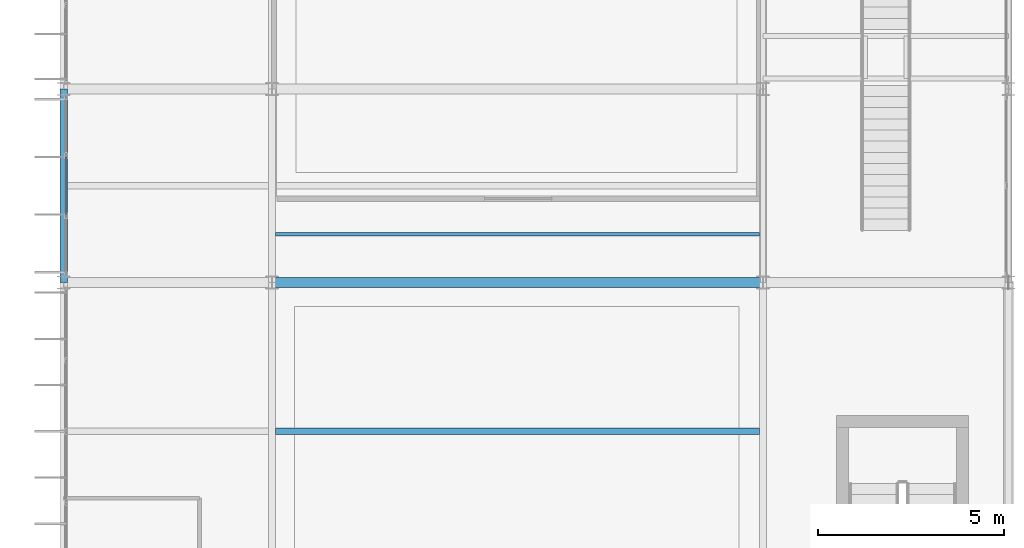
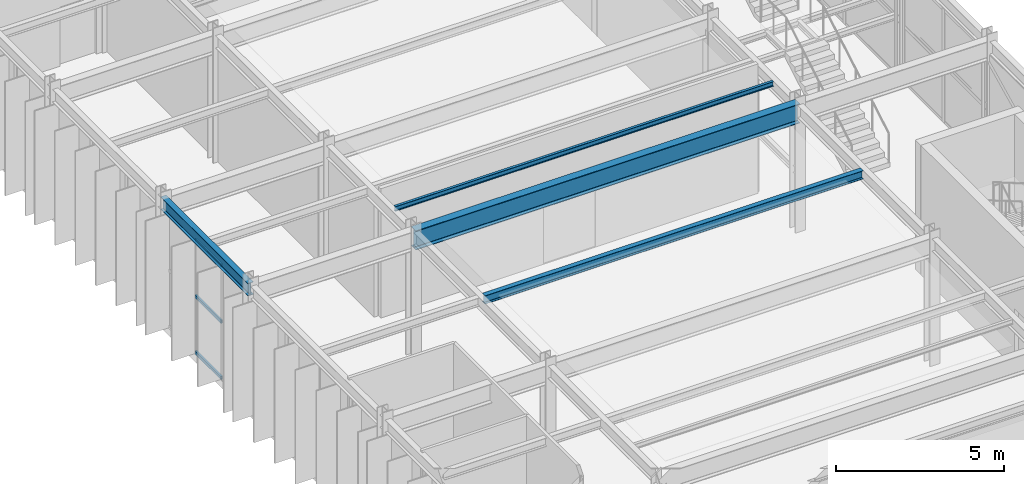
# One storey, part 37 of 144: 4 beams, 3 members, 1 element without a shape of its own.
"""IFC4 building model written with IfcOpenShell, lengths in metres."""

from ifc_helpers import new_model, si_unit, direction, frame, origin, origin_2d, place, context, subcontext, project, spatial, hollow_rectangle, i_section, extrude, material, material_profile, profile_set, type_object, element, aggregate, save


model = new_model("IFC4")

# Units and contexts
model_context = context("Model", 3, precision=1e-05, world=origin(), true_north=direction((0.0, 1.0)))
body_context = subcontext(model_context, "Body", "Model", "MODEL_VIEW")
ifc_project = project(units=[si_unit("LENGTHUNIT", "METRE"), si_unit("AREAUNIT", "SQUARE_METRE"), si_unit("VOLUMEUNIT", "CUBIC_METRE"), si_unit("PLANEANGLEUNIT", "RADIAN"), si_unit("MASSUNIT", "GRAM", prefix="KILO")], contexts=[model_context])

# Site, building, storey
site_placement = place(None, origin())
site = spatial("IfcSite", under=ifc_project, at=site_placement, CompositionType="ELEMENT")
building_placement = place(site_placement, origin())
building = spatial("IfcBuilding", under=site, at=building_placement, Name="Karori Crest Natural Sciences Institute", CompositionType="ELEMENT")
storey_placement = place(building_placement, origin())
storey = spatial("IfcBuildingStorey", under=building, at=storey_placement, Name="L00", CompositionType="ELEMENT", Elevation=0.0)

# Beams
ifc_material_1 = material(Name="Structural steel AS/NZS 3679.1 Grade 350", Category="steel")
ifc_material_profile_1 = material_profile(ifc_material_1, i_section(OverallWidth=0.27490234375, OverallDepth=0.699951171875, WebThickness=0.010009765625, FlangeThickness=0.02001953125, FilletRadius=0.013916015625, at=origin_2d()), Name="700WB150")
ifc_profile_set_1 = profile_set([ifc_material_profile_1], Name="Structural steel AS/NZS 3679.1 Grade 350")
beam_type_1 = type_object("IfcBeamType", Name="BT-03", PredefinedType="BEAM", material=ifc_profile_set_1)
beam_1_placement = place(storey_placement, frame((7.39990234375, 55.0, 4.27001953125), z_axis=(1.0, 0.0, 0.0), x_axis=(0.0, 1.0, 0.0)))
element("IfcBeam", 1, at=beam_1_placement, inside=storey, type_object=beam_type_1, Name="Beam B-0950", PredefinedType="BEAM", context=body_context, shape_type="SweptSolid", body=[
    extrude(i_section(OverallWidth=0.27490234375, OverallDepth=0.699951171875, WebThickness=0.010009765625, FlangeThickness=0.02001953125, FilletRadius=0.013916015625, at=origin_2d()), origin(), (0.0, 0.0, 1.0), 13.2001953125),
])
ifc_material_profile_2 = material_profile(ifc_material_1, i_section(OverallWidth=0.19091796875, OverallDepth=0.4599609375, WebThickness=0.010009765625, FlangeThickness=0.01611328125, FilletRadius=0.010986328125, at=origin_2d()), Name="460UB82.1")
ifc_profile_set_2 = profile_set([ifc_material_profile_2], Name="Structural steel AS/NZS 3679.1 Grade 350")
beam_type_2 = type_object("IfcBeamType", Name="BT-06-EL", PredefinedType="BEAM", material=ifc_profile_set_2)
beam_2_placement = place(storey_placement, frame((1.800048828125, 55.0, 4.389892578125), z_axis=(0.0, 1.0, 0.0), x_axis=(-1.0, 0.0, 0.0)))
element("IfcBeam", 2, at=beam_2_placement, inside=storey, type_object=beam_type_2, Name="Beam B-0964", PredefinedType="BEAM", context=body_context, shape_type="SweptSolid", body=[
    extrude(i_section(OverallWidth=0.19091796875, OverallDepth=0.4599609375, WebThickness=0.010009765625, FlangeThickness=0.01611328125, FilletRadius=0.010986328125, at=origin_2d()), origin(), (0.0, 0.0, 1.0), 5.199951171875),
])
ifc_material_profile_3 = material_profile(ifc_material_1, i_section(OverallWidth=0.166015625, OverallDepth=0.306884765625, WebThickness=0.006591796875, FlangeThickness=0.01171875, FilletRadius=0.010986328125, at=origin_2d()), Name="310UB46.2")
ifc_profile_set_3 = profile_set([ifc_material_profile_3], Name="Structural steel AS/NZS 3679.1 Grade 350")
beam_type_3 = type_object("IfcBeamType", Name="BT-09", PredefinedType="BEAM", material=ifc_profile_set_3)
beam_3_placement = place(storey_placement, frame((7.49560546875, 51.0, 4.466552734375), z_axis=(1.0, 0.0, 0.0), x_axis=(0.0, 1.0, 0.0)))
element("IfcBeam", 3, at=beam_3_placement, inside=storey, type_object=beam_type_3, Name="Beam B-0998", PredefinedType="BEAM", context=body_context, shape_type="SweptSolid", body=[
    extrude(i_section(OverallWidth=0.166015625, OverallDepth=0.306884765625, WebThickness=0.006591796875, FlangeThickness=0.01171875, FilletRadius=0.010986328125, at=origin_2d()), origin(), (0.0, 0.0, 1.0), 13.0087890625),
])
ifc_material_profile_4 = material_profile(ifc_material_1, i_section(OverallWidth=0.090087890625, OverallDepth=0.175048828125, WebThickness=0.0048828125, FlangeThickness=0.008056640625, FilletRadius=0.009033203125, at=origin_2d()), Name="180UB18.1")
ifc_profile_set_4 = profile_set([ifc_material_profile_4], Name="Structural steel AS/NZS 3679.1 Grade 350")
beam_type_4 = type_object("IfcBeamType", Name="BT-31", PredefinedType="LINTEL", material=ifc_profile_set_4)
beam_4_placement = place(storey_placement, frame((7.49560546875, 56.300048828125, 4.532470703125), z_axis=(1.0, 0.0, 0.0), x_axis=(0.0, 1.0, 0.0)))
element("IfcBeam", 4, at=beam_4_placement, inside=storey, type_object=beam_type_4, Name="Beam B-1000", PredefinedType="LINTEL", context=body_context, shape_type="SweptSolid", body=[
    extrude(i_section(OverallWidth=0.090087890625, OverallDepth=0.175048828125, WebThickness=0.0048828125, FlangeThickness=0.008056640625, FilletRadius=0.009033203125, at=origin_2d()), origin(), (0.0, 0.0, 1.0), 13.0087890625),
])

# Curtain wall, members
ifc_material_2 = material(Name="Anodised architectural aluminium 6063-T6", Category="aluminium")
curtain_wall_type = type_object("IfcCurtainWallType", Name="CWT-17", PredefinedType="NOTDEFINED", material=ifc_material_2)
curtain_wall_placement = place(storey_placement, origin())
curtain_wall = element("IfcCurtainWall", 5, at=curtain_wall_placement, inside=storey, type_object=curtain_wall_type, Name="Curtain wall CW-0256", PredefinedType="NOTDEFINED")
ifc_material_profile_5 = material_profile(ifc_material_2, hollow_rectangle(XDim=0.06005859375, YDim=0.1201171875, WallThickness=0.00390625, at=origin_2d()), Name="CWT120x60x4")
ifc_profile_set_5 = profile_set([ifc_material_profile_5], Name="Anodised architectural aluminium 6063-T6")
member_type = type_object("IfcMemberType", Name="CWT-TR1", PredefinedType="USERDEFINED", material=ifc_profile_set_5)
member_1_placement = place(storey_placement, frame((1.860107421875, 56.823486328125, 0.030029296875), z_axis=(0.0, 1.0, 0.0), x_axis=(-1.0, 0.0, 0.0)))
member_1 = element("IfcMember", 6, at=member_1_placement, type_object=member_type, Name="CW-0256 transom 2.1", ObjectType="TRANSOM", PredefinedType="USERDEFINED", context=body_context, shape_type="SweptSolid", body=[
    extrude(hollow_rectangle(XDim=0.06005859375, YDim=0.1201171875, WallThickness=0.00390625, at=origin_2d()), origin(), (0.0, 0.0, 1.0), 1.552978515625),
])
member_2_placement = place(storey_placement, frame((1.860107421875, 56.823486328125, 2.072509765625), z_axis=(0.0, 1.0, 0.0), x_axis=(-1.0, 0.0, 0.0)))
member_2 = element("IfcMember", 7, at=member_2_placement, type_object=member_type, Name="CW-0256 transom 2.2", ObjectType="TRANSOM", PredefinedType="USERDEFINED", context=body_context, shape_type="SweptSolid", body=[
    extrude(hollow_rectangle(XDim=0.06005859375, YDim=0.1201171875, WallThickness=0.00390625, at=origin_2d()), origin(), (0.0, 0.0, 1.0), 1.552978515625),
])
member_3_placement = place(storey_placement, frame((1.860107421875, 56.823486328125, 4.114990234375), z_axis=(0.0, 1.0, 0.0), x_axis=(-1.0, 0.0, 0.0)))
member_3 = element("IfcMember", 8, at=member_3_placement, type_object=member_type, Name="CW-0256 transom 2.3", ObjectType="TRANSOM", PredefinedType="USERDEFINED", context=body_context, shape_type="SweptSolid", body=[
    extrude(hollow_rectangle(XDim=0.06005859375, YDim=0.1201171875, WallThickness=0.00390625, at=origin_2d()), origin(), (0.0, 0.0, 1.0), 1.552978515625),
])
aggregate(curtain_wall, [member_1, member_2, member_3])

save(model, "model.ifc")
